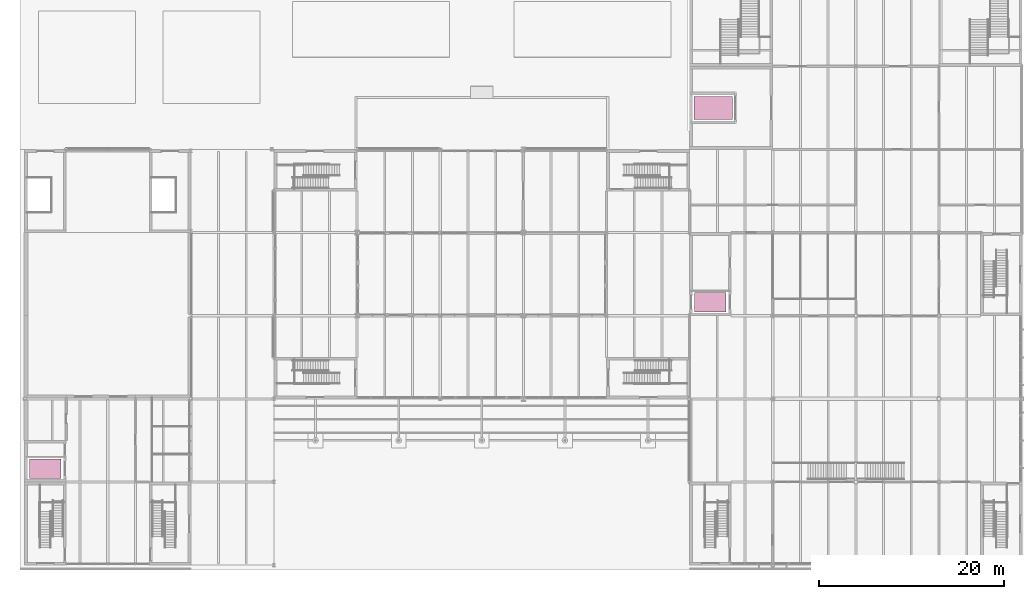
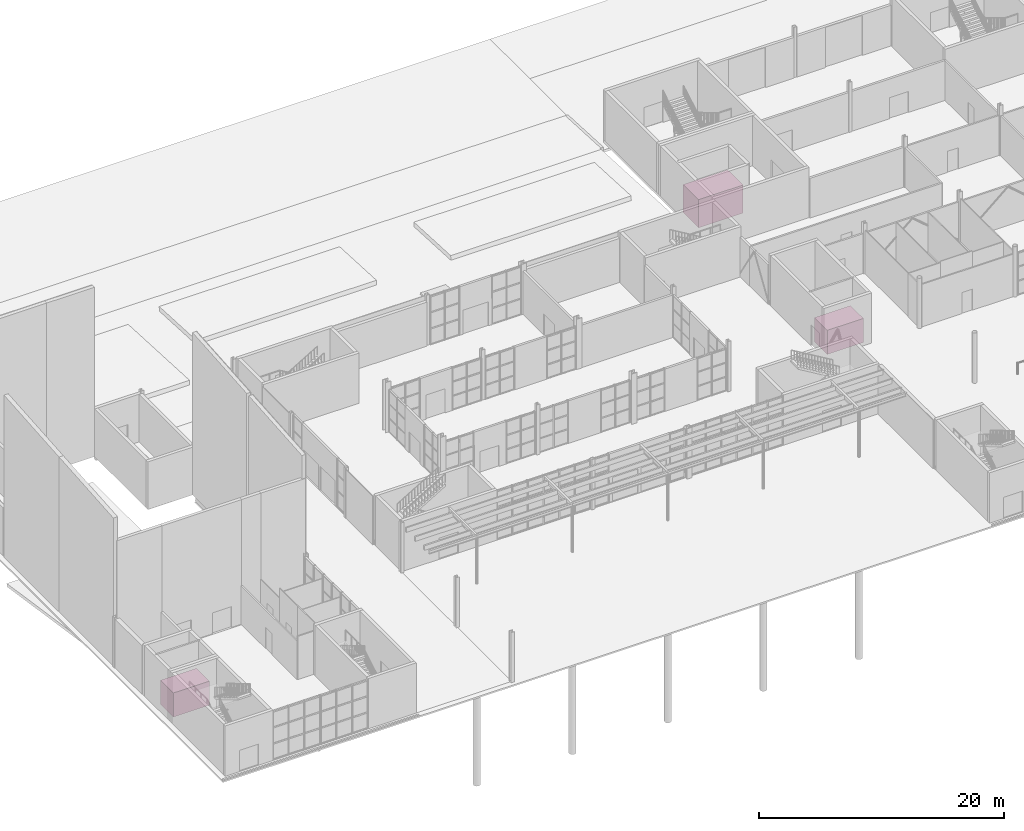
# One storey, part 63 of 63: 3 transport elements.
"""IFC4 building model written with IfcOpenShell, lengths in metres."""

from ifc_helpers import new_model, si_unit, direction, frame, origin, origin_2d, place, context, subcontext, project, spatial, rectangle, extrude, material, type_object, element, save


model = new_model("IFC4")

# Units and contexts
model_context = context("Model", 3, precision=1e-05, world=origin(), true_north=direction((0.0, 1.0)))
body_context = subcontext(model_context, "Body", "Model", "MODEL_VIEW")
ifc_project = project(units=[si_unit("LENGTHUNIT", "METRE"), si_unit("AREAUNIT", "SQUARE_METRE"), si_unit("VOLUMEUNIT", "CUBIC_METRE"), si_unit("PLANEANGLEUNIT", "RADIAN"), si_unit("MASSUNIT", "GRAM", prefix="KILO")], contexts=[model_context])

# Site, building, storey
site_placement = place(None, origin())
site = spatial("IfcSite", under=ifc_project, at=site_placement, CompositionType="ELEMENT")
building_placement = place(site_placement, origin())
building = spatial("IfcBuilding", under=site, at=building_placement, Name="Halyard Row Museum", CompositionType="ELEMENT")
storey_placement = place(building_placement, origin())
storey = spatial("IfcBuildingStorey", under=building, at=storey_placement, Name="L00", CompositionType="ELEMENT", Elevation=0.0)

# Transport elements
ifc_material_1 = material(Name="Stainless steel sliding car and landing doors", Category="steel")
transport_element_type_1 = type_object("IfcTransportElementType", Name="Goods Lift", PredefinedType="ELEVATOR", material=ifc_material_1)
transport_element_placement = place(storey_placement, frame((74.550048828125, 49.5, 0.0), z_axis=(0.0, 0.0, 1.0), x_axis=(1.0, 0.0, 0.0)))
element("IfcTransportElement", 1, at=transport_element_placement, inside=storey, type_object=transport_element_type_1, Name="GL1", PredefinedType="ELEVATOR", context=body_context, shape_type="SweptSolid", body=[
    extrude(rectangle(XDim=4.199951171875, YDim=2.5, at=origin_2d()), origin(), (0.0, 0.0, 1.0), 2.800048828125),
])
ifc_material_2 = material(Name="Stainless steel sliding car and landing doors", Category="steel")
transport_element_type_2 = type_object("IfcTransportElementType", Name="Passenger Lift", PredefinedType="ELEVATOR", material=ifc_material_2)
for number, where, z_axis, x_axis, name in (
    (2, (74.25, 28.449951171875, 0.0), (0.0, 0.0, 1.0), (1.0, 0.0, 0.0), "PL1"),
    (3, (2.25, 10.449951171875, 0.0), (0.0, 0.0, 1.0), (1.0, 0.0, 0.0), "PL2"),
):
    element("IfcTransportElement", number, at=place(storey_placement, frame(where, z_axis=z_axis, x_axis=x_axis)), inside=storey, type_object=transport_element_type_2, Name=name, PredefinedType="ELEVATOR", context=body_context, shape_type="SweptSolid", body=[
        extrude(rectangle(XDim=3.39990234375, YDim=2.10009765625, at=origin_2d()), origin(), (0.0, 0.0, 1.0), 2.39990234375),
    ])

save(model, "model.ifc")
